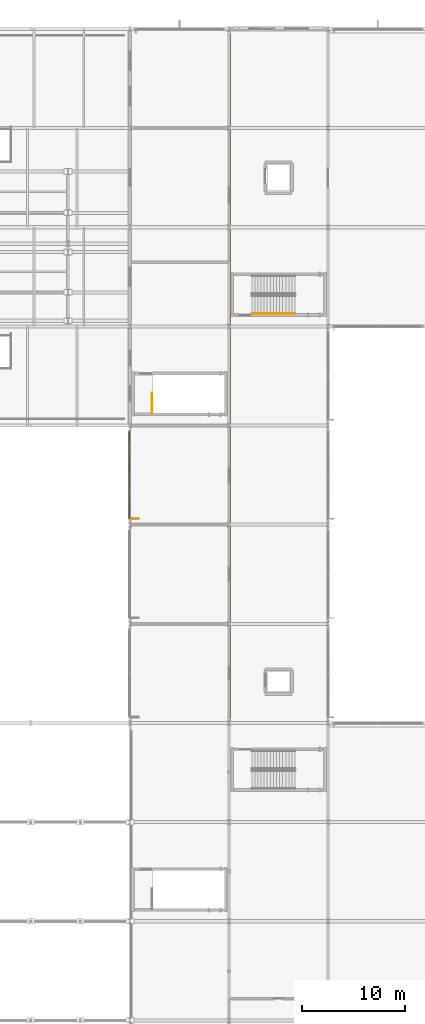
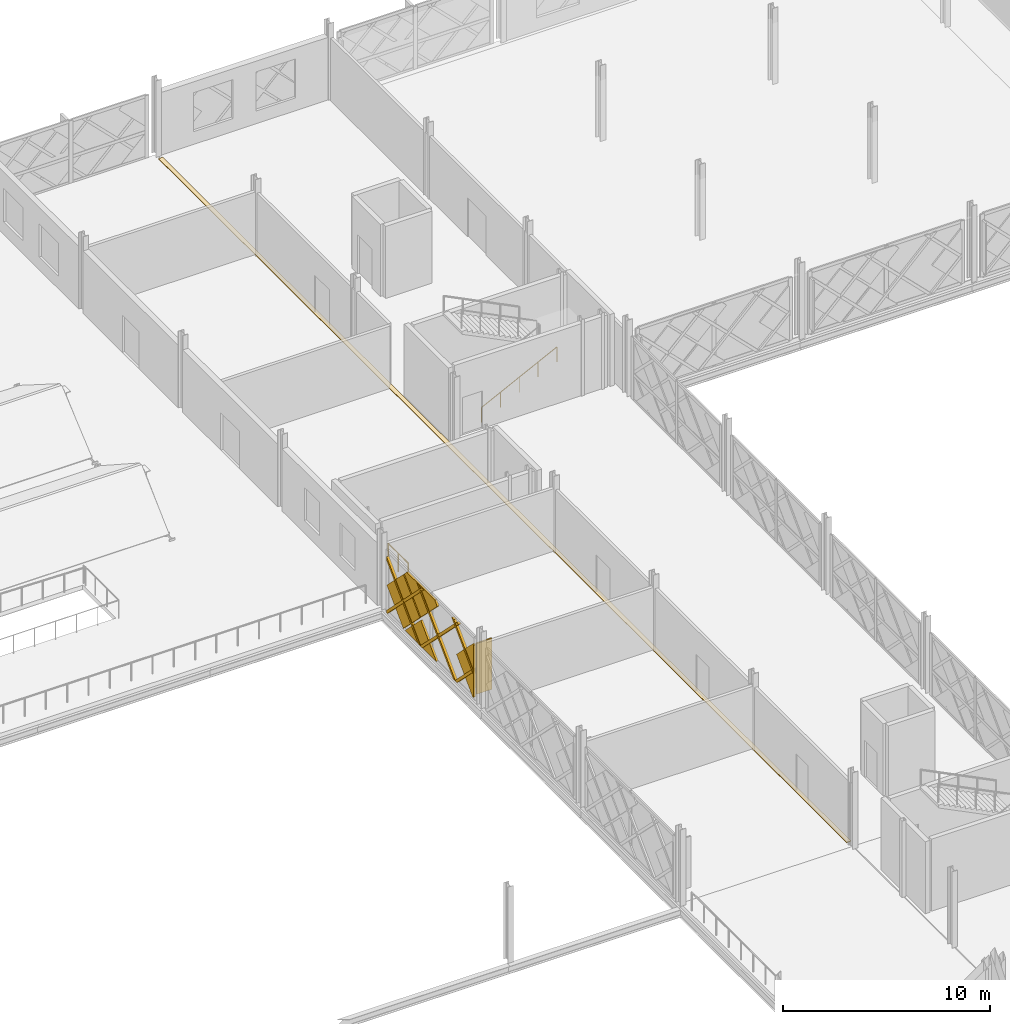
# One storey, part 87 of 101: 11 coverings, 2 railings, 1 shading device.
"""IFC4 building model written with IfcOpenShell, lengths in metres."""

from ifc_helpers import new_model, si_unit, direction, frame, origin, origin_2d, place, context, subcontext, project, spatial, polyline, rectangle, circle, outline, extrude, material, layer, layer_set, type_object, element, save


model = new_model("IFC4")

# Units and contexts
model_context = context("Model", 3, precision=1e-05, world=origin(), true_north=direction((0.0, 1.0)))
body_context = subcontext(model_context, "Body", "Model", "MODEL_VIEW")
ifc_project = project(units=[si_unit("LENGTHUNIT", "METRE"), si_unit("AREAUNIT", "SQUARE_METRE"), si_unit("VOLUMEUNIT", "CUBIC_METRE"), si_unit("PLANEANGLEUNIT", "RADIAN"), si_unit("MASSUNIT", "GRAM", prefix="KILO")], contexts=[model_context])

# Site, building, storey
site_placement = place(None, origin())
site = spatial("IfcSite", under=ifc_project, at=site_placement, CompositionType="ELEMENT")
building_placement = place(site_placement, origin())
building = spatial("IfcBuilding", under=site, at=building_placement, Name="Zevrakil Square Congress Hotel", CompositionType="ELEMENT")
storey_placement = place(building_placement, frame((0.0, 0.0, 5.39990234375)))
storey = spatial("IfcBuildingStorey", under=building, at=storey_placement, Name="L02", CompositionType="ELEMENT", Elevation=5.39990234375)

# Coverings
ifc_material_1 = material(Name="Architectural White Fibre-C GRC", Category="concrete")
ifc_layer_1 = layer(ifc_material_1, 0.06494140625)
ifc_layer_set_1 = layer_set([ifc_layer_1], Name="Architectural White Fibre-C GRC")
covering_type_1 = type_object("IfcCoveringType", Name="COV-DIA-WHITE", PredefinedType="CLADDING", material=ifc_layer_set_1)
covering_1_placement = place(storey_placement, frame((45.506103515625, 70.52001953125, 1.590087890625), z_axis=(-0.999999673239, 0.0, 0.000808407173), x_axis=(-0.000571630288, -0.707106665659, -0.707106665659)))
element("IfcCovering", 1, at=covering_1_placement, inside=storey, type_object=covering_type_1, Name="L02 45-degree white GRC diamond facade cassette 488", PredefinedType="CLADDING", context=body_context, shape_type="SweptSolid", body=[
    extrude(outline(polyline([(0.0, 0.0), (2.1354766387581616, -2.220446049250313e-16), (6.977908784122633e-07, -2.135476638758047), (0.0, 0.0)])), origin(), (0.0, 0.0, -1.0), 0.1201171875),
])
covering_2_placement = place(storey_placement, frame((45.507080078125, 72.199951171875, 3.27001953125), z_axis=(-0.999999812555, 0.0, 0.000612281941), x_axis=(-0.000432948753, -0.707106714489, -0.707106715341)))
element("IfcCovering", 2, at=covering_2_placement, inside=storey, type_object=covering_type_1, Name="L02 45-degree white GRC diamond facade cassette 489", PredefinedType="CLADDING", context=body_context, shape_type="SweptSolid", body=[
    extrude(outline(polyline([(0.0, 0.0), (2.2483788053823686, 2.220446049250313e-16), (2.2485518630143098, -2.2485514388251864), (0.013983735657622232, -2.2485514362281265), (-0.00017220932723183147, -2.23439549391379), (0.0, 0.0)])), origin(), (0.0, 0.0, -1.0), 0.1201171875),
])
covering_3_placement = place(storey_placement, frame((45.505126953125, 65.47998046875, 0.090087890625), z_axis=(-0.999999802693, 0.000140288523, 0.000612317754), x_axis=(0.000532173021, 0.707106704163, 0.707106657952)))
element("IfcCovering", 3, at=covering_3_placement, inside=storey, type_object=covering_type_1, Name="L02 45-degree white GRC diamond facade cassette 490", PredefinedType="CLADDING", context=body_context, shape_type="SweptSolid", body=[
    extrude(outline(polyline([(0.0, 0.0), (2.2487240615588604, 0.0), (2.2485518743178146, -2.248551427521986), (2.1637887120631065, -2.2487239918022137), (-2.7753788503503962e-09, -0.08493567308714237), (0.0, 0.0)])), origin(), (0.0, 0.0, -1.0), 0.1201171875),
])
covering_4_placement = place(storey_placement, frame((45.507080078125, 68.929931640625, 3.360107421875), z_axis=(-0.999999883778, 0.0, 0.000482124418), x_axis=(-0.000340913476, 0.70710671759, -0.707106762602)))
element("IfcCovering", 4, at=covering_4_placement, inside=storey, type_object=covering_type_1, Name="L02 45-degree white GRC diamond facade cassette 491", PredefinedType="CLADDING", context=body_context, shape_type="SweptSolid", body=[
    extrude(outline(polyline([(0.0, 0.0), (2.248724062534823, -2.220446049250313e-16), (2.2487236580393986, -2.248724062534787), (1.9162315727306498, -2.2487240133093764), (-1.0582518028545707e-08, -0.3324920853087522), (0.0, 0.0)])), origin(), (0.0, 0.0, -1.0), 0.1201171875),
])
ifc_material_2 = material(Name="Anodised Champagne Aluminium", Category="aluminium")
ifc_layer_2 = layer(ifc_material_2, 0.0849609375)
ifc_layer_set_2 = layer_set([ifc_layer_2], Name="Anodised Champagne Aluminium")
covering_type_2 = type_object("IfcCoveringType", Name="COV-DIAGRID-45", PredefinedType="MOLDING", material=ifc_layer_set_2)
covering_5_placement = place(storey_placement, frame((45.47998046875, 73.69384765625, 0.080078125), z_axis=(-0.999999883794, -0.000187841865, 0.000443989862), x_axis=(-0.000187841846, 0.999999982358, 8.34e-08)))
element("IfcCovering", 5, at=covering_5_placement, inside=storey, type_object=covering_type_2, Name="L02 45-degree aluminium diagrid rib 492", PredefinedType="MOLDING", context=body_context, shape_type="SweptSolid", body=[
    extrude(outline(polyline([(0.0, 0.0), (0.08618163910455907, 0.0), (0.0861816496313512, -0.12622069068424482), (-3.3027344363086577, -3.515137347849475), (-3.5148926356907024, -3.515137347849475), (0.0, 0.0)])), origin(), (0.0, 0.0, -1.0), 0.14501953125),
])
covering_6_placement = place(storey_placement, frame((45.47998046875, 70.333984375, 0.080078125), z_axis=(-0.999999804633, 0.0, 0.000625086695), x_axis=(0.0, 1.0, 0.0)))
element("IfcCovering", 6, at=covering_6_placement, inside=storey, type_object=covering_type_2, Name="L02 45-degree aluminium diagrid rib 493", PredefinedType="MOLDING", context=body_context, shape_type="SweptSolid", body=[
    extrude(outline(polyline([(0.0, 0.0), (0.212158203125, 0.0), (-3.302978515625, -3.5151374054908215), (-3.51513671875, -3.5151374054908215), (0.0, 0.0)])), origin(), (0.0, 0.0, -1.0), 0.14501953125),
])
covering_7_placement = place(storey_placement, frame((45.47998046875, 66.973876953125, 0.080078125), z_axis=(-0.999999559446, 0.000244467201, 0.000906280278), x_axis=(0.000244467101, 0.999999970118, -2.21556e-07)))
element("IfcCovering", 7, at=covering_7_placement, inside=storey, type_object=covering_type_2, Name="L02 45-degree aluminium diagrid rib 494", PredefinedType="MOLDING", context=body_context, shape_type="SweptSolid", body=[
    extrude(outline(polyline([(0.0, 0.0), (0.21215819678526596, 0.0), (-1.5539551245604528, -1.766113662255786), (-1.5539551372399212, -1.5539553249983964), (0.0, 0.0)])), origin(), (0.0, 0.0, -1.0), 0.14501953125),
])
covering_8_placement = place(storey_placement, frame((45.48193359375, 73.780029296875, 3.154052734375), z_axis=(-0.999999905696, 0.00030708991, 0.00030708991), x_axis=(0.000307089896, -9.4304e-08, 0.999999952848)))
element("IfcCovering", 8, at=covering_8_placement, inside=storey, type_object=covering_type_2, Name="L02 45-degree aluminium diagrid rib 495", PredefinedType="MOLDING", context=body_context, shape_type="SweptSolid", body=[
    extrude(outline(polyline([(0.0, 0.0), (0.2121581931212936, 0.0), (-3.0739747543193885, -3.2861332573369064), (-3.073974774326802, -3.0739750642156136), (0.0, 0.0)])), origin(), (0.0, 0.0, -1.0), 0.14501953125),
])
covering_9_placement = place(storey_placement, frame((45.482177734375, 70.861083984375, 3.59521484375), z_axis=(-0.999999804633, 0.0, 0.000625086695), x_axis=(0.0, -1.0, 0.0)))
element("IfcCovering", 9, at=covering_9_placement, inside=storey, type_object=covering_type_2, Name="L02 45-degree aluminium diagrid rib 496", PredefinedType="MOLDING", context=body_context, shape_type="SweptSolid", body=[
    extrude(outline(polyline([(0.0, 0.0), (0.212158203125, 0.0), (3.727294921875, -3.515137405490821), (3.514892578125, -3.515137405490821), (0.0, 0.0)])), origin(), (0.0, 0.0, -1.0), 0.14501953125),
])
covering_10_placement = place(storey_placement, frame((45.482177734375, 67.501220703125, 3.59521484375), z_axis=(-0.999999904504, 0.000309023456, 0.000309023456), x_axis=(-0.000309023442, -0.999999952252, 9.5496e-08)))
element("IfcCovering", 10, at=covering_10_placement, inside=storey, type_object=covering_type_2, Name="L02 45-degree aluminium diagrid rib 497", PredefinedType="MOLDING", context=body_context, shape_type="SweptSolid", body=[
    extrude(outline(polyline([(0.0, 0.0), (0.2124023336082661, 2.81112161297318e-24), (2.0812989275023397, -1.8688967723653072), (2.0812989072188715, -2.081299105973572), (0.0, 0.0)])), origin(), (0.0, 0.0, -1.0), 0.14501953125),
])
ifc_material_3 = material(Name="Honed Addis Basalt Stone Flooring", Category="masonry")
ifc_layer_3 = layer(ifc_material_3, 0.030029296875)
ifc_layer_set_3 = layer_set([ifc_layer_3], Name="Honed Addis Basalt Stone Flooring")
covering_type_3 = type_object("IfcCoveringType", Name="COV-FLOR-BASALT-030", PredefinedType="FLOORING", material=ifc_layer_set_3)
covering_11_placement = place(storey_placement, origin())
element("IfcCovering", 11, at=covering_11_placement, inside=storey, type_object=covering_type_3, Name="L02 flush movement-joint floor cover plate 07", PredefinedType="FLOORING", context=body_context, shape_type="SweptSolid", body=[
    extrude(outline(polyline([(55.080078125, 46.0), (55.320068359375, 46.0), (55.320068359375, 112.39990234375), (55.080078125, 112.39990234375), (55.080078125, 46.0)])), origin(), (0.0, 0.0, 1.0), 0.030029296875),
])

# Railings
ifc_material_4 = material(Name="Steel S355", Category="steel")
railing_type_1 = type_object("IfcRailingType", Name="RLG-STAIR-GUARD-1100", PredefinedType="BALUSTRADE", material=ifc_material_4)
railing_1_placement = place(storey_placement, frame((47.75, 75.60009765625, 0.0)))
element("IfcRailing", 12, at=railing_1_placement, inside=storey, type_object=railing_type_1, Name="L02 ST14 top well guard 1", PredefinedType="BALUSTRADE", context=body_context, shape_type="SweptSolid", body=[
    extrude(circle(Radius=0.02392578125, at=origin_2d()), frame((0.0, 0.0, 1.076171875), z_axis=(0.0, 1.0, 0.0), x_axis=(-1.0, 0.0, 0.0)), (0.0, 0.0, 1.0), 1.949951171875),
    extrude(circle(Radius=0.02099609375, at=origin_2d()), origin(), (0.0, 0.0, 1.0), 1.052001953125),
    extrude(circle(Radius=0.02099609375, at=origin_2d()), frame((0.0, 0.97509765625, 0.0)), (0.0, 0.0, 1.0), 1.052001953125),
    extrude(circle(Radius=0.02099609375, at=origin_2d()), frame((0.0, 1.949951171875, 0.0)), (0.0, 0.0, 1.0), 1.052001953125),
])
ifc_material_5 = material(Name="Steel S355", Category="steel")
railing_type_2 = type_object("IfcRailingType", Name="RLG-STAIR-HAND-900", PredefinedType="HANDRAIL", material=ifc_material_5)
railing_2_placement = place(storey_placement, frame((57.39990234375, 85.25, 0.150146484375)))
element("IfcRailing", 13, at=railing_2_placement, inside=storey, type_object=railing_type_2, Name="L02 ST05 stair handrail 1", PredefinedType="HANDRAIL", context=body_context, shape_type="SweptSolid", body=[
    extrude(circle(Radius=0.02392578125, at=origin_2d()), frame((0.0, 0.0, 0.8759765625), z_axis=(0.894447986312, 0.0, 0.447172002457), x_axis=(0.0, 1.0, 0.0)), (0.0, 0.0, 1.0), 4.69580078125),
    extrude(circle(Radius=0.02099609375, at=origin_2d()), origin(), (0.0, 0.0, 1.0), 0.851806640625),
    extrude(circle(Radius=0.02099609375, at=origin_2d()), frame((1.050048828125, 0.0, 0.52490234375)), (0.0, 0.0, 1.0), 0.851806640625),
    extrude(circle(Radius=0.02099609375, at=origin_2d()), frame((2.10009765625, 0.0, 1.0498046875)), (0.0, 0.0, 1.0), 0.851806640625),
    extrude(circle(Radius=0.02099609375, at=origin_2d()), frame((3.150146484375, 0.0, 1.574951171875)), (0.0, 0.0, 1.0), 0.851806640625),
    extrude(circle(Radius=0.02099609375, at=origin_2d()), frame((4.2001953125, 0.0, 2.099853515625)), (0.0, 0.0, 1.0), 0.851806640625),
])

# Shading device
ifc_material_6 = material(Name="Aluminium Anodised Bronze", Category="aluminium")
shading_device_type = type_object("IfcShadingDeviceType", Name="SHD-FIN-85", PredefinedType="USERDEFINED", material=ifc_material_6)
shading_device_placement = place(storey_placement, frame((46.044921875, 65.360107421875, 0.337646484375), z_axis=(0.0, 0.0, 1.0), x_axis=(1.0, 0.0, 0.0)))
element("IfcShadingDevice", 14, at=shading_device_placement, inside=storey, type_object=shading_device_type, Name="L02 aluminium solar shading fin 28", ObjectType="SOLAR FIN", PredefinedType="USERDEFINED", context=body_context, shape_type="SweptSolid", body=[
    extrude(rectangle(XDim=0.85009765625, YDim=0.080078125, at=origin_2d()), origin(), (0.0, 0.0, 1.0), 3.0),
])

save(model, "model.ifc")
